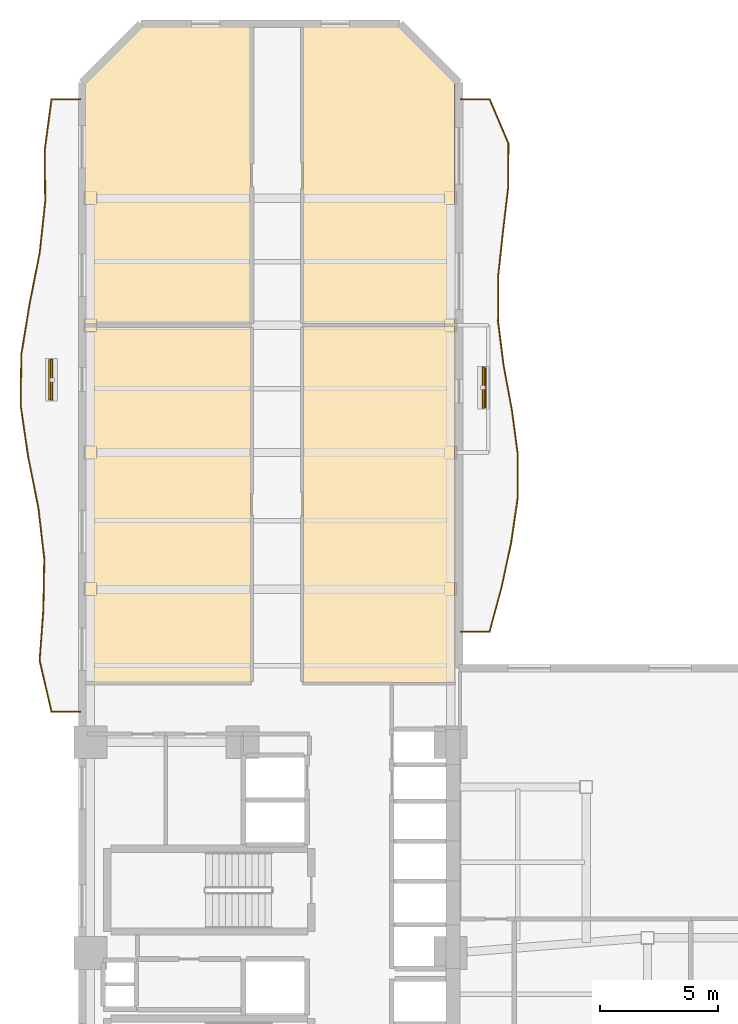
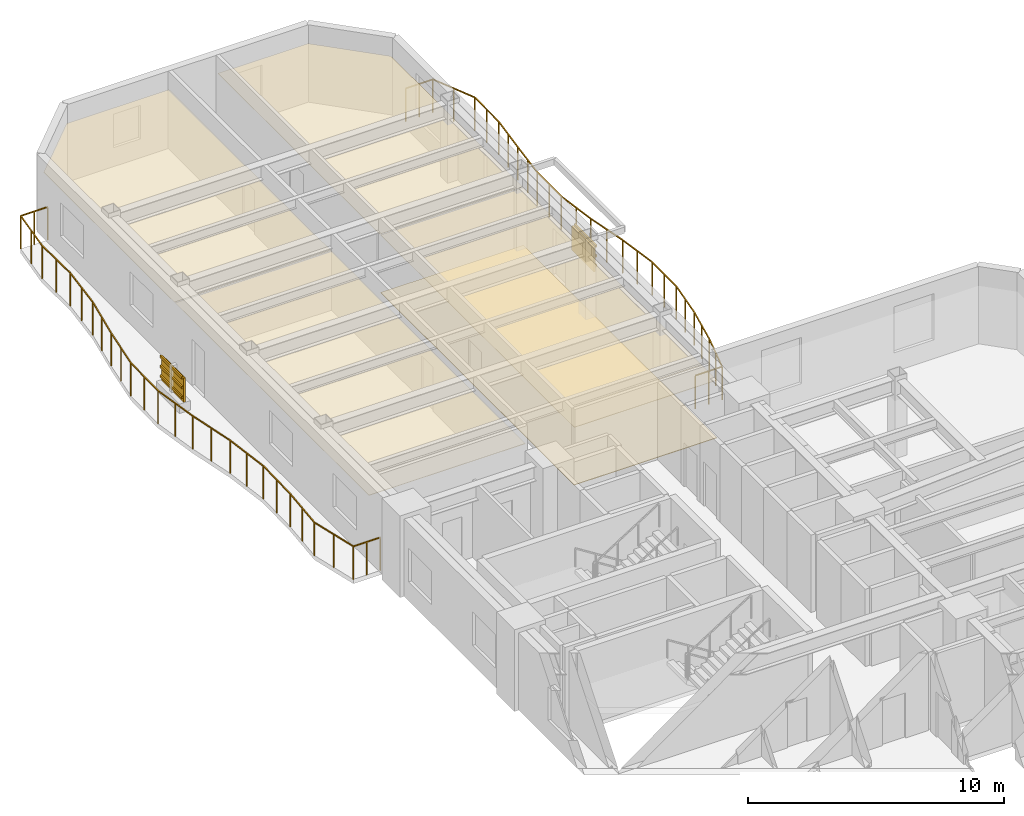
# One storey, part 10 of 10: 8 shading devices, 5 coverings, 2 railings.
"""IFC4 building model written with IfcOpenShell, lengths in metres."""

from ifc_helpers import new_model, si_unit, direction, frame, origin, origin_2d, place, context, subcontext, project, spatial, polyline, rectangle, outline, extrude, material, layer, layer_set, material_profile, profile_set, type_object, element, save


model = new_model("IFC4")

# Units and contexts
model_context = context("Model", 3, precision=1e-05, world=origin(), true_north=direction((0.0, 1.0)))
body_context = subcontext(model_context, "Body", "Model", "MODEL_VIEW")
ifc_project = project(units=[si_unit("LENGTHUNIT", "METRE"), si_unit("AREAUNIT", "SQUARE_METRE"), si_unit("VOLUMEUNIT", "CUBIC_METRE"), si_unit("PLANEANGLEUNIT", "RADIAN"), si_unit("MASSUNIT", "GRAM", prefix="KILO")], contexts=[model_context])

# Site, building, storey
site_placement = place(None, origin())
site = spatial("IfcSite", under=ifc_project, at=site_placement, CompositionType="ELEMENT")
building_placement = place(site_placement, origin())
building = spatial("IfcBuilding", under=site, at=building_placement, Name="Mawjaban Terraces University", CompositionType="ELEMENT")
storey_placement = place(building_placement, frame((0.0, 0.0, 62.199951171875)))
storey = spatial("IfcBuildingStorey", under=building, at=storey_placement, Name="L14", CompositionType="ELEMENT", Elevation=62.199951171875)

# Coverings
ifc_material_1 = material(Name="Acoustic mineral fibre ceiling tile", Category="masonry")
ifc_layer_1 = layer(ifc_material_1, 0.02001953125)
ifc_layer_set_1 = layer_set([ifc_layer_1], Name="Acoustic mineral fibre ceiling tile")
covering_type_1 = type_object("IfcCoveringType", Name="AcousticMineralCeiling_20", PredefinedType="CEILING", material=ifc_layer_set_1)
covering_1_placement = place(storey_placement, frame((0.0, 0.0, 2.75)))
element("IfcCovering", 1, at=covering_1_placement, inside=storey, type_object=covering_type_1, Name="L14 Departmental Office 12 Acoustic Ceiling", PredefinedType="CEILING", context=body_context, shape_type="SweptSolid", body=[
    extrude(outline(polyline([(22.114990234375, 41.169921875), (22.114990234375, 26.030029296875), (29.169921875, 26.030029296875), (29.169921875, 41.169921875), (22.114990234375, 41.169921875)])), origin(), (0.0, 0.0, 1.0), 0.02001953125),
])
covering_2_placement = place(storey_placement, frame((0.0, 0.0, 2.75)))
element("IfcCovering", 2, at=covering_2_placement, inside=storey, type_object=covering_type_1, Name="L14 Classroom 13 Acoustic Ceiling", PredefinedType="CEILING", context=body_context, shape_type="SweptSolid", body=[
    extrude(outline(polyline([(37.820068359375, 26.030029296875), (37.820068359375, 41.169921875), (31.3798828125, 41.169921875), (31.3798828125, 26.030029296875), (37.820068359375, 26.030029296875)])), origin(), (0.0, 0.0, 1.0), 0.02001953125),
])
covering_3_placement = place(storey_placement, frame((0.0, 0.0, 2.75)))
element("IfcCovering", 3, at=covering_3_placement, inside=storey, type_object=covering_type_1, Name="L14 Design Studio 14 Acoustic Ceiling", PredefinedType="CEILING", context=body_context, shape_type="SweptSolid", body=[
    extrude(outline(polyline([(29.169921875, 53.885009765625), (24.547119140625, 53.885009765625), (22.114990234375, 51.452880859375), (22.114990234375, 41.22998046875), (29.169921875, 41.22998046875), (29.169921875, 53.885009765625)])), origin(), (0.0, 0.0, 1.0), 0.02001953125),
])
covering_4_placement = place(storey_placement, frame((0.0, 0.0, 2.75)))
element("IfcCovering", 4, at=covering_4_placement, inside=storey, type_object=covering_type_1, Name="L14 Computational Laboratory 15 Acoustic Ceiling", PredefinedType="CEILING", context=body_context, shape_type="SweptSolid", body=[
    extrude(outline(polyline([(37.820068359375, 51.51806640625), (35.452880859375, 53.885009765625), (31.3798828125, 53.885009765625), (31.3798828125, 41.22998046875), (37.820068359375, 41.22998046875), (37.820068359375, 51.51806640625)])), origin(), (0.0, 0.0, 1.0), 0.02001953125),
])

# Railings
ifc_material_2 = material(Name="Galvanised powder-coated steel S355", Category="steel")
railing_type = type_object("IfcRailingType", Name="BalconyBalustrade_1600", PredefinedType="BALUSTRADE", material=ifc_material_2)
railing_1_placement = place(storey_placement, frame((21.919921875, 24.800048828125, 0.0)))
element("IfcRailing", 5, at=railing_1_placement, inside=storey, type_object=railing_type, Name="L14 Balcony Guardrail west", PredefinedType="BALUSTRADE", context=body_context, shape_type="SweptSolid", body=[
    extrude(rectangle(XDim=0.048095703125, YDim=0.048095703125, at=origin_2d()), frame((0.0, 0.0, 1.576171875), z_axis=(-1.0, 0.0, 0.0), x_axis=(0.0, -1.0, 0.0)), (0.0, 0.0, 1.0), 1.219970703125),
    extrude(rectangle(XDim=0.048095703125, YDim=0.048095703125, at=origin_2d()), frame((-1.219970703125, 0.0, 1.576171875), z_axis=(-0.226910488636, 0.97391561757, 0.0), x_axis=(-0.97391561757, -0.226910488636, 0.0)), (0.0, 0.0, 1.0), 2.22509765625),
    extrude(rectangle(XDim=0.048095703125, YDim=0.048095703125, at=origin_2d()), frame((-1.724853515625, 2.1669921875, 1.576171875), z_axis=(0.072732911519, 0.997351454394, 0.0), x_axis=(-0.997351454394, 0.072732911519, 0.0)), (0.0, 0.0, 1.0), 2.171875),
    extrude(rectangle(XDim=0.048095703125, YDim=0.048095703125, at=origin_2d()), frame((-1.56689453125, 4.3330078125, 1.576171875), z_axis=(0.018023209892, 0.999837568761, 0.0), x_axis=(-0.999837568761, 0.018023209892, 0.0)), (0.0, 0.0, 1.0), 2.167236328125),
    extrude(rectangle(XDim=0.048095703125, YDim=0.048095703125, at=origin_2d()), frame((-1.52783203125, 6.5, 1.576171875), z_axis=(-0.116484164436, 0.993192549023, 0.0), x_axis=(-0.993192549023, -0.116484164436, 0.0)), (0.0, 0.0, 1.0), 2.181884765625),
    extrude(rectangle(XDim=0.048095703125, YDim=0.048095703125, at=origin_2d()), frame((-1.781982421875, 8.6669921875, 1.576171875), z_axis=(-0.195542152971, 0.980695297435, 0.0), x_axis=(-0.980695297435, -0.195542152971, 0.0)), (0.0, 0.0, 1.0), 2.208740234375),
    extrude(rectangle(XDim=0.048095703125, YDim=0.048095703125, at=origin_2d()), frame((-2.2138671875, 10.8330078125, 1.576171875), z_axis=(-0.144807165863, 0.989459895456, 0.0), x_axis=(-0.989459895456, -0.144807165863, 0.0)), (0.0, 0.0, 1.0), 2.190185546875),
    extrude(rectangle(XDim=0.048095703125, YDim=0.048095703125, at=origin_2d()), frame((-2.531005859375, 13.0, 1.576171875), z_axis=(0.013405735303, 0.999910139093, 0.0), x_axis=(-0.999910139093, 0.013405735303, 0.0)), (0.0, 0.0, 1.0), 2.167236328125),
    extrude(rectangle(XDim=0.048095703125, YDim=0.048095703125, at=origin_2d()), frame((-2.501953125, 15.1669921875, 1.576171875), z_axis=(0.161728858018, 0.986835232693, 0.0), x_axis=(-0.986835232693, 0.161728858018, 0.0)), (0.0, 0.0, 1.0), 2.19482421875),
    extrude(rectangle(XDim=0.048095703125, YDim=0.048095703125, at=origin_2d()), frame((-2.14697265625, 17.3330078125, 1.576171875), z_axis=(0.194181673252, 0.980965584398, 0.0), x_axis=(-0.980965584398, 0.194181673252, 0.0)), (0.0, 0.0, 1.0), 2.208984375),
    extrude(rectangle(XDim=0.048095703125, YDim=0.048095703125, at=origin_2d()), frame((-1.718017578125, 19.5, 1.576171875), z_axis=(0.105536205986, 0.994415461076, 0.0), x_axis=(-0.994415461076, 0.105536205986, 0.0)), (0.0, 0.0, 1.0), 2.17919921875),
    extrude(rectangle(XDim=0.048095703125, YDim=0.048095703125, at=origin_2d()), frame((-1.488037109375, 21.6669921875, 1.576171875), z_axis=(-0.009692962117, 0.999953022139, 0.0), x_axis=(-0.999953022139, -0.009692962117, 0.0)), (0.0, 0.0, 1.0), 2.166015625),
    extrude(rectangle(XDim=0.048095703125, YDim=0.048095703125, at=origin_2d()), frame((-1.509033203125, 23.8330078125, 1.576171875), z_axis=(0.132222239086, 0.991220096392, 0.0), x_axis=(-0.991220096392, 0.132222239086, 0.0)), (0.0, 0.0, 1.0), 2.186279296875),
    extrude(rectangle(XDim=0.048095703125, YDim=0.048095703125, at=origin_2d()), frame((-1.219970703125, 26.0, 1.576171875), z_axis=(1.0, 0.0, 0.0), x_axis=(0.0, 1.0, 0.0)), (0.0, 0.0, 1.0), 1.219970703125),
    extrude(rectangle(XDim=0.0419921875, YDim=0.0419921875, at=origin_2d()), origin(), (0.0, 0.0, 1.0), 1.552001953125),
    extrude(rectangle(XDim=0.0419921875, YDim=0.0419921875, at=origin_2d()), frame((-0.60986328125, 0.0, 0.0)), (0.0, 0.0, 1.0), 1.552001953125),
    extrude(rectangle(XDim=0.0419921875, YDim=0.0419921875, at=origin_2d()), frame((-1.219970703125, 0.0, 0.0)), (0.0, 0.0, 1.0), 1.552001953125),
    extrude(rectangle(XDim=0.0419921875, YDim=0.0419921875, at=origin_2d()), frame((-1.472412109375, 1.08349609375, 0.0)), (0.0, 0.0, 1.0), 1.552001953125),
    extrude(rectangle(XDim=0.0419921875, YDim=0.0419921875, at=origin_2d()), frame((-1.724853515625, 2.1669921875, 0.0)), (0.0, 0.0, 1.0), 1.552001953125),
    extrude(rectangle(XDim=0.0419921875, YDim=0.0419921875, at=origin_2d()), frame((-1.64599609375, 3.25, 0.0)), (0.0, 0.0, 1.0), 1.552001953125),
    extrude(rectangle(XDim=0.0419921875, YDim=0.0419921875, at=origin_2d()), frame((-1.56689453125, 4.3330078125, 0.0)), (0.0, 0.0, 1.0), 1.552001953125),
    extrude(rectangle(XDim=0.0419921875, YDim=0.0419921875, at=origin_2d()), frame((-1.54736328125, 5.41650390625, 0.0)), (0.0, 0.0, 1.0), 1.552001953125),
    extrude(rectangle(XDim=0.0419921875, YDim=0.0419921875, at=origin_2d()), frame((-1.52783203125, 6.5, 0.0)), (0.0, 0.0, 1.0), 1.552001953125),
    extrude(rectangle(XDim=0.0419921875, YDim=0.0419921875, at=origin_2d()), frame((-1.65478515625, 7.58349609375, 0.0)), (0.0, 0.0, 1.0), 1.552001953125),
    extrude(rectangle(XDim=0.0419921875, YDim=0.0419921875, at=origin_2d()), frame((-1.781982421875, 8.6669921875, 0.0)), (0.0, 0.0, 1.0), 1.552001953125),
    extrude(rectangle(XDim=0.0419921875, YDim=0.0419921875, at=origin_2d()), frame((-1.998046875, 9.75, 0.0)), (0.0, 0.0, 1.0), 1.552001953125),
    extrude(rectangle(XDim=0.0419921875, YDim=0.0419921875, at=origin_2d()), frame((-2.2138671875, 10.8330078125, 0.0)), (0.0, 0.0, 1.0), 1.552001953125),
    extrude(rectangle(XDim=0.0419921875, YDim=0.0419921875, at=origin_2d()), frame((-2.37255859375, 11.91650390625, 0.0)), (0.0, 0.0, 1.0), 1.552001953125),
    extrude(rectangle(XDim=0.0419921875, YDim=0.0419921875, at=origin_2d()), frame((-2.531005859375, 13.0, 0.0)), (0.0, 0.0, 1.0), 1.552001953125),
    extrude(rectangle(XDim=0.0419921875, YDim=0.0419921875, at=origin_2d()), frame((-2.5166015625, 14.08349609375, 0.0)), (0.0, 0.0, 1.0), 1.552001953125),
    extrude(rectangle(XDim=0.0419921875, YDim=0.0419921875, at=origin_2d()), frame((-2.501953125, 15.1669921875, 0.0)), (0.0, 0.0, 1.0), 1.552001953125),
    extrude(rectangle(XDim=0.0419921875, YDim=0.0419921875, at=origin_2d()), frame((-2.324462890625, 16.25, 0.0)), (0.0, 0.0, 1.0), 1.552001953125),
    extrude(rectangle(XDim=0.0419921875, YDim=0.0419921875, at=origin_2d()), frame((-2.14697265625, 17.3330078125, 0.0)), (0.0, 0.0, 1.0), 1.552001953125),
    extrude(rectangle(XDim=0.0419921875, YDim=0.0419921875, at=origin_2d()), frame((-1.9326171875, 18.41650390625, 0.0)), (0.0, 0.0, 1.0), 1.552001953125),
    extrude(rectangle(XDim=0.0419921875, YDim=0.0419921875, at=origin_2d()), frame((-1.718017578125, 19.5, 0.0)), (0.0, 0.0, 1.0), 1.552001953125),
    extrude(rectangle(XDim=0.0419921875, YDim=0.0419921875, at=origin_2d()), frame((-1.60302734375, 20.58349609375, 0.0)), (0.0, 0.0, 1.0), 1.552001953125),
    extrude(rectangle(XDim=0.0419921875, YDim=0.0419921875, at=origin_2d()), frame((-1.488037109375, 21.6669921875, 0.0)), (0.0, 0.0, 1.0), 1.552001953125),
    extrude(rectangle(XDim=0.0419921875, YDim=0.0419921875, at=origin_2d()), frame((-1.49853515625, 22.75, 0.0)), (0.0, 0.0, 1.0), 1.552001953125),
    extrude(rectangle(XDim=0.0419921875, YDim=0.0419921875, at=origin_2d()), frame((-1.509033203125, 23.8330078125, 0.0)), (0.0, 0.0, 1.0), 1.552001953125),
    extrude(rectangle(XDim=0.0419921875, YDim=0.0419921875, at=origin_2d()), frame((-1.364501953125, 24.91650390625, 0.0)), (0.0, 0.0, 1.0), 1.552001953125),
    extrude(rectangle(XDim=0.0419921875, YDim=0.0419921875, at=origin_2d()), frame((-1.219970703125, 26.0, 0.0)), (0.0, 0.0, 1.0), 1.552001953125),
    extrude(rectangle(XDim=0.0419921875, YDim=0.0419921875, at=origin_2d()), frame((-0.60986328125, 26.0, 0.0)), (0.0, 0.0, 1.0), 1.552001953125),
    extrude(rectangle(XDim=0.0419921875, YDim=0.0419921875, at=origin_2d()), frame((0.0, 26.0, 0.0)), (0.0, 0.0, 1.0), 1.552001953125),
])
railing_2_placement = place(storey_placement, frame((38.080078125, 28.195068359375, 0.0)))
element("IfcRailing", 6, at=railing_2_placement, inside=storey, type_object=railing_type, Name="L14 Balcony Guardrail inner_east", PredefinedType="BALUSTRADE", context=body_context, shape_type="SweptSolid", body=[
    extrude(rectangle(XDim=0.048095703125, YDim=0.048095703125, at=origin_2d()), frame((0.0, 0.0, 1.576171875), z_axis=(1.0, 0.0, 0.0), x_axis=(0.0, 1.0, 0.0)), (0.0, 0.0, 1.0), 1.219970703125),
    extrude(rectangle(XDim=0.048095703125, YDim=0.048095703125, at=origin_2d()), frame((1.219970703125, 0.0, 1.576171875), z_axis=(0.26176258831, 0.965132295264, 0.0), x_axis=(-0.965132295264, 0.26176258831, 0.0)), (0.0, 0.0, 1.0), 1.9521484375),
    extrude(rectangle(XDim=0.048095703125, YDim=0.048095703125, at=origin_2d()), frame((1.73095703125, 1.884033203125, 1.576171875), z_axis=(0.210308181882, 0.977635140854, 0.0), x_axis=(-0.977635140854, 0.210308181882, 0.0)), (0.0, 0.0, 1.0), 1.92578125),
    extrude(rectangle(XDim=0.048095703125, YDim=0.048095703125, at=origin_2d()), frame((2.135986328125, 3.766845703125, 1.576171875), z_axis=(0.144884906311, 0.989448515044, 0.0), x_axis=(-0.989448515044, 0.144884906311, 0.0)), (0.0, 0.0, 1.0), 1.904052734375),
    extrude(rectangle(XDim=0.048095703125, YDim=0.048095703125, at=origin_2d()), frame((2.411865234375, 5.65087890625, 1.576171875), z_axis=(0.003757910487, 0.999992939029, 0.0), x_axis=(-0.999992939029, 0.003757910487, 0.0)), (0.0, 0.0, 1.0), 1.884033203125),
    extrude(rectangle(XDim=0.048095703125, YDim=0.048095703125, at=origin_2d()), frame((2.4189453125, 7.534912109375, 1.576171875), z_axis=(-0.13255071449, 0.991176224537, 0.0), x_axis=(-0.991176224537, -0.13255071449, 0.0)), (0.0, 0.0, 1.0), 1.90087890625),
    extrude(rectangle(XDim=0.048095703125, YDim=0.048095703125, at=origin_2d()), frame((2.1669921875, 9.4189453125, 1.576171875), z_axis=(-0.183188528945, 0.983077801022, 0.0), x_axis=(-0.983077801022, -0.183188528945, 0.0)), (0.0, 0.0, 1.0), 1.91650390625),
    extrude(rectangle(XDim=0.048095703125, YDim=0.048095703125, at=origin_2d()), frame((1.81591796875, 11.302978515625, 1.576171875), z_axis=(-0.124905452881, 0.99216864889, 0.0), x_axis=(-0.99216864889, -0.124905452881, 0.0)), (0.0, 0.0, 1.0), 1.89794921875),
    extrude(rectangle(XDim=0.048095703125, YDim=0.048095703125, at=origin_2d()), frame((1.578857421875, 13.18603515625, 1.576171875), z_axis=(0.002203208753, 0.999997572933, 0.0), x_axis=(-0.999997572933, 0.002203208753, 0.0)), (0.0, 0.0, 1.0), 1.8837890625),
    extrude(rectangle(XDim=0.048095703125, YDim=0.048095703125, at=origin_2d()), frame((1.5830078125, 15.06982421875, 1.576171875), z_axis=(0.108084091294, 0.994141755088, 0.0), x_axis=(-0.994141755088, 0.108084091294, 0.0)), (0.0, 0.0, 1.0), 1.89501953125),
    extrude(rectangle(XDim=0.048095703125, YDim=0.048095703125, at=origin_2d()), frame((1.787841796875, 16.953857421875, 1.576171875), z_axis=(0.117169948069, 0.993111878526, 0.0), x_axis=(-0.993111878526, 0.117169948069, 0.0)), (0.0, 0.0, 1.0), 1.89599609375),
    extrude(rectangle(XDim=0.048095703125, YDim=0.048095703125, at=origin_2d()), frame((2.010009765625, 18.8369140625, 1.576171875), z_axis=(0.00634948973, 0.999979841787, 0.0), x_axis=(-0.999979841787, 0.00634948973, 0.0)), (0.0, 0.0, 1.0), 1.884033203125),
    extrude(rectangle(XDim=0.048095703125, YDim=0.048095703125, at=origin_2d()), frame((2.02197265625, 20.720947265625, 1.576171875), z_axis=(-0.39167329491, 0.920104358241, 0.0), x_axis=(-0.920104358241, -0.39167329491, 0.0)), (0.0, 0.0, 1.0), 2.047607421875),
    extrude(rectangle(XDim=0.048095703125, YDim=0.048095703125, at=origin_2d()), frame((1.219970703125, 22.60498046875, 1.576171875), z_axis=(-1.0, 0.0, 0.0), x_axis=(0.0, -1.0, 0.0)), (0.0, 0.0, 1.0), 1.219970703125),
    extrude(rectangle(XDim=0.0419921875, YDim=0.0419921875, at=origin_2d()), origin(), (0.0, 0.0, 1.0), 1.552001953125),
    extrude(rectangle(XDim=0.0419921875, YDim=0.0419921875, at=origin_2d()), frame((0.60986328125, 0.0, 0.0)), (0.0, 0.0, 1.0), 1.552001953125),
    extrude(rectangle(XDim=0.0419921875, YDim=0.0419921875, at=origin_2d()), frame((1.219970703125, 0.0, 0.0)), (0.0, 0.0, 1.0), 1.552001953125),
    extrude(rectangle(XDim=0.0419921875, YDim=0.0419921875, at=origin_2d()), frame((1.4755859375, 0.94189453125, 0.0)), (0.0, 0.0, 1.0), 1.552001953125),
    extrude(rectangle(XDim=0.0419921875, YDim=0.0419921875, at=origin_2d()), frame((1.73095703125, 1.884033203125, 0.0)), (0.0, 0.0, 1.0), 1.552001953125),
    extrude(rectangle(XDim=0.0419921875, YDim=0.0419921875, at=origin_2d()), frame((1.93359375, 2.825439453125, 0.0)), (0.0, 0.0, 1.0), 1.552001953125),
    extrude(rectangle(XDim=0.0419921875, YDim=0.0419921875, at=origin_2d()), frame((2.135986328125, 3.766845703125, 0.0)), (0.0, 0.0, 1.0), 1.552001953125),
    extrude(rectangle(XDim=0.0419921875, YDim=0.0419921875, at=origin_2d()), frame((2.27392578125, 4.708984375, 0.0)), (0.0, 0.0, 1.0), 1.552001953125),
    extrude(rectangle(XDim=0.0419921875, YDim=0.0419921875, at=origin_2d()), frame((2.411865234375, 5.65087890625, 0.0)), (0.0, 0.0, 1.0), 1.552001953125),
    extrude(rectangle(XDim=0.0419921875, YDim=0.0419921875, at=origin_2d()), frame((2.41552734375, 6.5927734375, 0.0)), (0.0, 0.0, 1.0), 1.552001953125),
    extrude(rectangle(XDim=0.0419921875, YDim=0.0419921875, at=origin_2d()), frame((2.4189453125, 7.534912109375, 0.0)), (0.0, 0.0, 1.0), 1.552001953125),
    extrude(rectangle(XDim=0.0419921875, YDim=0.0419921875, at=origin_2d()), frame((2.29296875, 8.47705078125, 0.0)), (0.0, 0.0, 1.0), 1.552001953125),
    extrude(rectangle(XDim=0.0419921875, YDim=0.0419921875, at=origin_2d()), frame((2.1669921875, 9.4189453125, 0.0)), (0.0, 0.0, 1.0), 1.552001953125),
    extrude(rectangle(XDim=0.0419921875, YDim=0.0419921875, at=origin_2d()), frame((1.991455078125, 10.36083984375, 0.0)), (0.0, 0.0, 1.0), 1.552001953125),
    extrude(rectangle(XDim=0.0419921875, YDim=0.0419921875, at=origin_2d()), frame((1.81591796875, 11.302978515625, 0.0)), (0.0, 0.0, 1.0), 1.552001953125),
    extrude(rectangle(XDim=0.0419921875, YDim=0.0419921875, at=origin_2d()), frame((1.697265625, 12.24462890625, 0.0)), (0.0, 0.0, 1.0), 1.552001953125),
    extrude(rectangle(XDim=0.0419921875, YDim=0.0419921875, at=origin_2d()), frame((1.578857421875, 13.18603515625, 0.0)), (0.0, 0.0, 1.0), 1.552001953125),
    extrude(rectangle(XDim=0.0419921875, YDim=0.0419921875, at=origin_2d()), frame((1.5810546875, 14.1279296875, 0.0)), (0.0, 0.0, 1.0), 1.552001953125),
    extrude(rectangle(XDim=0.0419921875, YDim=0.0419921875, at=origin_2d()), frame((1.5830078125, 15.06982421875, 0.0)), (0.0, 0.0, 1.0), 1.552001953125),
    extrude(rectangle(XDim=0.0419921875, YDim=0.0419921875, at=origin_2d()), frame((1.685546875, 16.01171875, 0.0)), (0.0, 0.0, 1.0), 1.552001953125),
    extrude(rectangle(XDim=0.0419921875, YDim=0.0419921875, at=origin_2d()), frame((1.787841796875, 16.953857421875, 0.0)), (0.0, 0.0, 1.0), 1.552001953125),
    extrude(rectangle(XDim=0.0419921875, YDim=0.0419921875, at=origin_2d()), frame((1.89892578125, 17.8955078125, 0.0)), (0.0, 0.0, 1.0), 1.552001953125),
    extrude(rectangle(XDim=0.0419921875, YDim=0.0419921875, at=origin_2d()), frame((2.010009765625, 18.8369140625, 0.0)), (0.0, 0.0, 1.0), 1.552001953125),
    extrude(rectangle(XDim=0.0419921875, YDim=0.0419921875, at=origin_2d()), frame((2.01611328125, 19.77880859375, 0.0)), (0.0, 0.0, 1.0), 1.552001953125),
    extrude(rectangle(XDim=0.0419921875, YDim=0.0419921875, at=origin_2d()), frame((2.02197265625, 20.720947265625, 0.0)), (0.0, 0.0, 1.0), 1.552001953125),
    extrude(rectangle(XDim=0.0419921875, YDim=0.0419921875, at=origin_2d()), frame((1.62109375, 21.6630859375, 0.0)), (0.0, 0.0, 1.0), 1.552001953125),
    extrude(rectangle(XDim=0.0419921875, YDim=0.0419921875, at=origin_2d()), frame((1.219970703125, 22.60498046875, 0.0)), (0.0, 0.0, 1.0), 1.552001953125),
    extrude(rectangle(XDim=0.0419921875, YDim=0.0419921875, at=origin_2d()), frame((0.60986328125, 22.60498046875, 0.0)), (0.0, 0.0, 1.0), 1.552001953125),
    extrude(rectangle(XDim=0.0419921875, YDim=0.0419921875, at=origin_2d()), frame((0.0, 22.60498046875, 0.0)), (0.0, 0.0, 1.0), 1.552001953125),
])

# Shading devices
ifc_material_3 = material(Name="Glazed architectural terracotta ceramic", Category="masonry")
ifc_material_profile = material_profile(ifc_material_3, rectangle(XDim=0.06494140625, YDim=0.110107421875, at=origin_2d()), Name="TBAG110X65")
ifc_profile_set = profile_set([ifc_material_profile], Name="Glazed architectural terracotta ceramic")
shading_device_type_1 = type_object("IfcShadingDeviceType", Name="TerracottaBaguette_110x65", PredefinedType="USERDEFINED", material=ifc_profile_set)
for number, where, z_axis, x_axis, name in (
    (7, (20.6220703125, 38.032958984375, 0.679931640625), (0.0, 1.0, 0.0), (-1.0, 0.0, 0.0), "L14 Horizontal Terracotta Baguette west.1"),
    (8, (20.6220703125, 38.032958984375, 1.150146484375), (0.0, 1.0, 0.0), (-1.0, 0.0, 0.0), "L14 Horizontal Terracotta Baguette west.2"),
    (9, (20.6220703125, 38.032958984375, 1.6201171875), (0.0, 1.0, 0.0), (-1.0, 0.0, 0.0), "L14 Horizontal Terracotta Baguette west.3"),
    (10, (39.115966796875, 37.7060546875, 0.679931640625), (0.0, 1.0, 0.0), (-1.0, 0.0, 0.0), "L14 Horizontal Terracotta Baguette inner_east.1"),
    (11, (39.115966796875, 37.7060546875, 1.150146484375), (0.0, 1.0, 0.0), (-1.0, 0.0, 0.0), "L14 Horizontal Terracotta Baguette inner_east.2"),
    (12, (39.115966796875, 37.7060546875, 1.6201171875), (0.0, 1.0, 0.0), (-1.0, 0.0, 0.0), "L14 Horizontal Terracotta Baguette inner_east.3"),
):
    element("IfcShadingDevice", number, at=place(storey_placement, frame(where, z_axis=z_axis, x_axis=x_axis)), inside=storey, type_object=shading_device_type_1, Name=name, ObjectType="BAGUETTE", PredefinedType="USERDEFINED", context=body_context, shape_type="SweptSolid", body=[
        extrude(rectangle(XDim=0.06494140625, YDim=0.110107421875, at=origin_2d()), origin(), (0.0, 0.0, 1.0), 1.699951171875),
    ])
ifc_layer_2 = layer(ifc_material_3, 0.080078125)
ifc_layer_set_2 = layer_set([ifc_layer_2], Name="Glazed architectural terracotta ceramic")
shading_device_type_2 = type_object("IfcShadingDeviceType", Name="TerracottaScreen_Perforated", PredefinedType="USERDEFINED", material=ifc_layer_set_2)
for number, where, z_axis, x_axis, name in (
    (13, (20.70703125, 38.883056640625, 0.440185546875), (0.0, 0.0, 1.0), (0.0, 1.0, 0.0), "L14 Balcony Perforated Terracotta Screen west"),
    (14, (39.031005859375, 38.555908203125, 0.440185546875), (0.0, 0.0, 1.0), (0.0, 1.0, 0.0), "L14 Balcony Perforated Terracotta Screen inner_east"),
):
    element("IfcShadingDevice", number, at=place(storey_placement, frame(where, z_axis=z_axis, x_axis=x_axis)), inside=storey, type_object=shading_device_type_2, Name=name, ObjectType="SCREEN", PredefinedType="USERDEFINED", context=body_context, shape_type="SweptSolid", body=[
        extrude(rectangle(XDim=1.75, YDim=0.080078125, at=origin_2d()), origin(), (0.0, 0.0, 1.0), 1.14990234375),
    ])

# Covering
ifc_material_4 = material(Name="Polished Hijazi granite terrazzo flooring", Category="masonry")
ifc_layer_3 = layer(ifc_material_4, 0.02490234375)
ifc_layer_set_3 = layer_set([ifc_layer_3], Name="Polished Hijazi granite terrazzo flooring")
covering_type_2 = type_object("IfcCoveringType", Name="TerrazzoConcourseFlooring_25", PredefinedType="FLOORING", material=ifc_layer_set_3)
covering_5_placement = place(storey_placement, origin())
element("IfcCovering", 15, at=covering_5_placement, inside=storey, type_object=covering_type_2, Name="L14 Classroom 13 Terrazzo Flooring", PredefinedType="FLOORING", context=body_context, shape_type="SweptSolid", body=[
    extrude(outline(polyline([(37.820068359375, 26.030029296875), (37.820068359375, 41.169921875), (31.3798828125, 41.169921875), (31.3798828125, 26.030029296875), (37.820068359375, 26.030029296875)])), origin(), (0.0, 0.0, 1.0), 0.025146484375),
])

save(model, "model.ifc")
